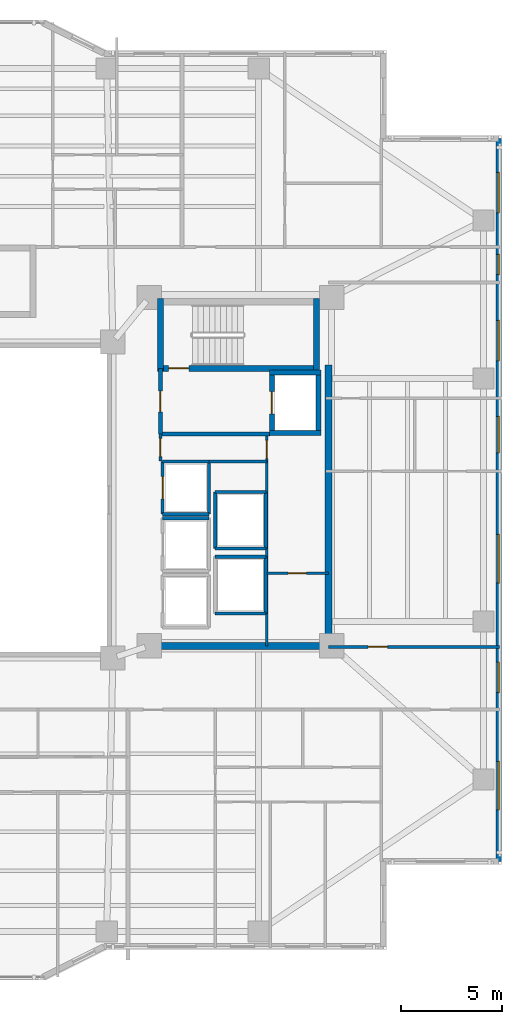
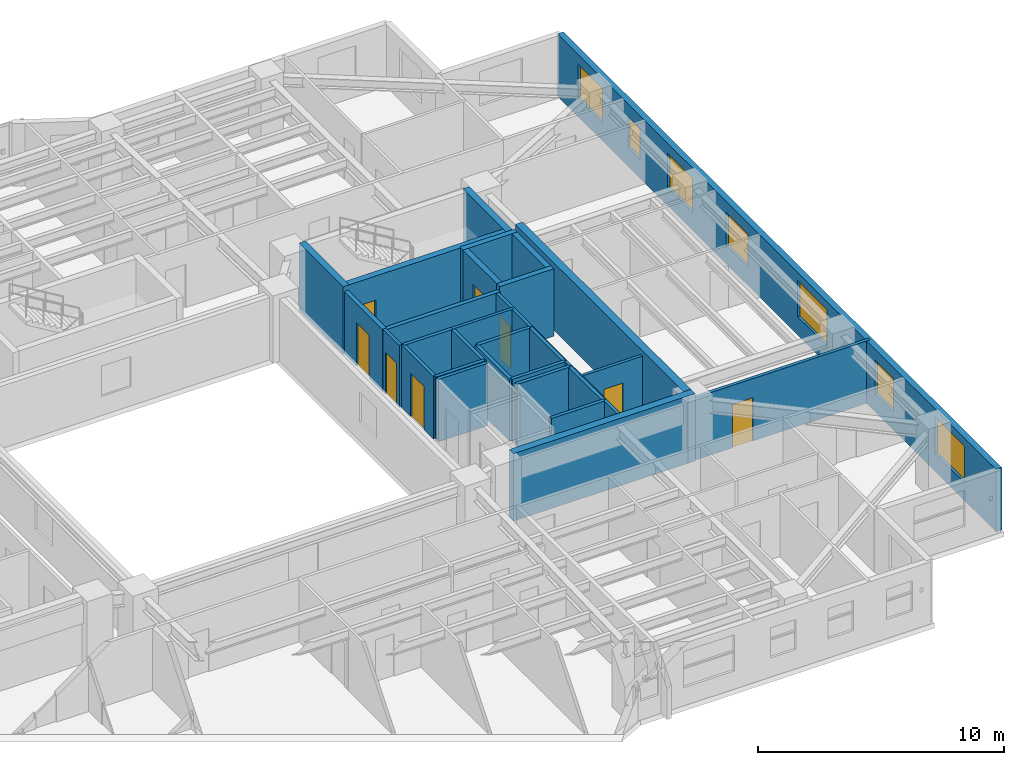
# One storey, part 9 of 19: 29 walls, 8 doors, 7 windows, 15 openings.
"""IFC4 building model written with IfcOpenShell, lengths in metres."""

from ifc_helpers import new_model, si_unit, direction, frame, frame_2d, origin, place, context, subcontext, project, spatial, rectangle, extrude, material, layer, layer_set, type_object, element, fill, save


model = new_model("IFC4")

# Units and contexts
model_context = context("Model", 3, precision=1e-05, world=origin(), true_north=direction((0.0, 1.0)))
body_context = subcontext(model_context, "Body", "Model", "MODEL_VIEW")
ifc_project = project(units=[si_unit("LENGTHUNIT", "METRE"), si_unit("AREAUNIT", "SQUARE_METRE"), si_unit("VOLUMEUNIT", "CUBIC_METRE"), si_unit("PLANEANGLEUNIT", "RADIAN"), si_unit("MASSUNIT", "GRAM", prefix="KILO")], contexts=[model_context])

# Site, building, storey
site_placement = place(None, origin())
site = spatial("IfcSite", under=ifc_project, at=site_placement, CompositionType="ELEMENT")
building_placement = place(site_placement, origin())
building = spatial("IfcBuilding", under=site, at=building_placement, Name="Tarnavaz Court Tower", CompositionType="ELEMENT")
storey_placement = place(building_placement, frame((0.0, 0.0, 81.64990234375)))
storey = spatial("IfcBuildingStorey", under=building, at=storey_placement, Name="L21", CompositionType="ELEMENT", Elevation=81.64990234375)

# Wall, opening, door
ifc_material_1 = material(Name="Concrete C60/75", Category="concrete")
ifc_layer_1 = layer(ifc_material_1, 0.25)
ifc_layer_set_1 = layer_set([ifc_layer_1], Name="Concrete C60/75")
wall_type_1 = type_object("IfcWallType", Name="WL-CORE-250-C60", PredefinedType="SHEAR", material=ifc_layer_set_1)
wall_1_placement = place(storey_placement, frame((15.64990234375, 3.175048828125, 0.0), z_axis=(0.0, 0.0, 1.0), x_axis=(0.0, 1.0, 0.0)))
wall_1 = element("IfcWall", 1, at=wall_1_placement, inside=storey, type_object=wall_type_1, Name="L21 Lift FL-E1 Shaft Wall 033", PredefinedType="SHEAR", context=body_context, shape_type="SweptSolid", body=[
    extrude(rectangle(XDim=3.25, YDim=0.25, at=frame_2d((1.625, 0.0))), origin(), (0.0, 0.0, 1.0), 3.35009765625),
])
opening_1_placement = place(wall_1_placement, frame((1.074951171875, 0.0, 0.0)))
opening_1 = element("IfcOpeningElement", 2, at=opening_1_placement, cuts=wall_1, Name="Opening LD1", PredefinedType="OPENING", context=body_context, shape_type="SweptSolid", body=[
    extrude(rectangle(XDim=1.10009765625, YDim=2.14990234375, at=frame_2d((0.550048828125, 1.074951171875))), frame((0.0, 0.135009765625, 0.0), z_axis=(0.0, -1.0, 0.0), x_axis=(1.0, 0.0, 0.0)), (0.0, 0.0, 1.0), 0.27001953125),
])
ifc_material_2 = material(Name="Stainless Steel", Category="steel")
door_type_1 = type_object("IfcDoorType", Name="DR-LD-1100", OperationType="NOTDEFINED", PredefinedType="DOOR", material=ifc_material_2)
door_1_placement = place(opening_1_placement, origin())
door_1 = element("IfcDoor", 3, at=door_1_placement, inside=storey, type_object=door_type_1, Name="L21 Lift Landing Door LD-FL-E1", OperationType="SLIDING_TO_LEFT", OverallHeight=2.14990234375, OverallWidth=1.10009765625, PredefinedType="DOOR", context=body_context, shape_type="SweptSolid", body=[
    extrude(rectangle(XDim=1.10009765625, YDim=2.14990234375, at=frame_2d((0.550048828125, 1.074951171875))), frame((0.0, 0.02490234375, 0.0), z_axis=(0.0, -1.0, 0.0), x_axis=(1.0, 0.0, 0.0)), (0.0, 0.0, 1.0), 0.050048828125),
])
fill(opening_1, door_1)

# Walls
wall_2_placement = place(storey_placement, frame((17.949951171875, 3.175048828125, 0.0), z_axis=(0.0, 0.0, 1.0), x_axis=(0.0, 1.0, 0.0)))
element("IfcWall", 4, at=wall_2_placement, inside=storey, type_object=wall_type_1, Name="L21 Lift FL-E1 Shaft Wall 034", PredefinedType="SHEAR", context=body_context, shape_type="SweptSolid", body=[
    extrude(rectangle(XDim=3.25, YDim=0.25, at=frame_2d((1.625, 0.0))), origin(), (0.0, 0.0, 1.0), 3.35009765625),
])
for number, where, z_axis, x_axis, name in (
    (5, (15.52490234375, 3.300048828125, 0.0), (0.0, 0.0, 1.0), (1.0, 0.0, 0.0), "L21 Lift FL-E1 Shaft Wall 035"),
    (6, (15.52490234375, 6.300048828125, 0.0), (0.0, 0.0, 1.0), (1.0, 0.0, 0.0), "L21 Lift FL-E1 Shaft Wall 036"),
):
    element("IfcWall", number, at=place(storey_placement, frame(where, z_axis=z_axis, x_axis=x_axis)), inside=storey, type_object=wall_type_1, Name=name, PredefinedType="SHEAR", context=body_context, shape_type="SweptSolid", body=[
        extrude(rectangle(XDim=2.550048828125, YDim=0.25, at=frame_2d((1.27490234375, 0.0))), origin(), (0.0, 0.0, 1.0), 3.35009765625),
    ])

# Wall, opening, door
ifc_layer_2 = layer(ifc_material_1, 0.300048828125)
ifc_layer_set_2 = layer_set([ifc_layer_2], Name="Concrete C60/75")
wall_type_2 = type_object("IfcWallType", Name="WL-CORE-300-C60", PredefinedType="SHEAR", material=ifc_layer_set_2)
wall_3_placement = place(storey_placement, frame((10.0, 6.5, 0.0), z_axis=(0.0, 0.0, 1.0), x_axis=(1.0, 0.0, 0.0)))
wall_3 = element("IfcWall", 7, at=wall_3_placement, inside=storey, type_object=wall_type_2, Name="L21 East Stair Core Wall 006", PredefinedType="SHEAR", context=body_context, shape_type="SweptSolid", body=[
    extrude(rectangle(XDim=8.0, YDim=0.300048828125, at=frame_2d((4.0, 0.0))), origin(), (0.0, 0.0, 1.0), 3.35009765625),
])
opening_2_placement = place(wall_3_placement, frame((0.550048828125, 0.0, 0.0)))
opening_2 = element("IfcOpeningElement", 8, at=opening_2_placement, cuts=wall_3, Name="Opening D01", PredefinedType="OPENING", context=body_context, shape_type="SweptSolid", body=[
    extrude(rectangle(XDim=1.0, YDim=2.14990234375, at=frame_2d((0.5, 1.074951171875))), frame((0.0, 0.159912109375, 0.0), z_axis=(0.0, -1.0, 0.0), x_axis=(1.0, 0.0, 0.0)), (0.0, 0.0, 1.0), 0.320068359375),
])
ifc_material_3 = material(Name="Fire-Rated Hardwood Timber Core", Category="wood")
door_type_2 = type_object("IfcDoorType", Name="DR-FD90-1000", OperationType="NOTDEFINED", PredefinedType="DOOR", material=ifc_material_3)
door_2_placement = place(opening_2_placement, origin())
door_2 = element("IfcDoor", 9, at=door_2_placement, inside=storey, type_object=door_type_2, Name="L21 Stair ST-E1 Exit Door", OperationType="SINGLE_SWING_RIGHT", OverallHeight=2.14990234375, OverallWidth=1.0, PredefinedType="DOOR", context=body_context, shape_type="SweptSolid", body=[
    extrude(rectangle(XDim=1.0, YDim=2.14990234375, at=frame_2d((0.5, 1.074951171875))), frame((0.0, 0.02490234375, 0.0), z_axis=(0.0, -1.0, 0.0), x_axis=(1.0, 0.0, 0.0)), (0.0, 0.0, 1.0), 0.050048828125),
])
fill(opening_2, door_2)

# Walls
for number, where, z_axis, x_axis, name in (
    (10, (10.14990234375, 6.35009765625, 0.0), (0.0, 0.0, 1.0), (0.0, 1.0, 0.0), "L21 East Stair Core Wall 007"),
    (11, (17.85009765625, 6.35009765625, 0.0), (0.0, 0.0, 1.0), (0.0, 1.0, 0.0), "L21 East Stair Core Wall 008"),
):
    element("IfcWall", number, at=place(storey_placement, frame(where, z_axis=z_axis, x_axis=x_axis)), inside=storey, type_object=wall_type_2, Name=name, PredefinedType="SHEAR", context=body_context, shape_type="SweptSolid", body=[
        extrude(rectangle(XDim=3.58984375, YDim=0.300048828125, at=frame_2d((1.794921875, 0.0))), origin(), (0.0, 0.0, 1.0), 3.35009765625),
    ])
ifc_layer_3 = layer(ifc_material_1, 0.35009765625)
ifc_layer_set_3 = layer_set([ifc_layer_3], Name="Concrete C60/75")
wall_type_3 = type_object("IfcWallType", Name="WL-CORE-350-C60", PredefinedType="SHEAR", material=ifc_layer_set_3)
wall_4_placement = place(storey_placement, frame((18.449951171875, -7.375, 0.0), z_axis=(0.0, 0.0, 1.0), x_axis=(0.0, 1.0, 0.0)))
element("IfcWall", 12, at=wall_4_placement, inside=storey, type_object=wall_type_3, Name="L21 East Core Shear Wall 059", PredefinedType="SHEAR", context=body_context, shape_type="SweptSolid", body=[
    extrude(rectangle(XDim=14.050048828125, YDim=0.35009765625, at=frame_2d((7.02490234375, 0.0))), origin(), (0.0, 0.0, 1.0), 3.35009765625),
])
wall_5_placement = place(storey_placement, frame((10.074951171875, -7.199951171875, 0.0), z_axis=(0.0, 0.0, 1.0), x_axis=(1.0, 0.0, 0.0)))
element("IfcWall", 13, at=wall_5_placement, inside=storey, type_object=wall_type_3, Name="L21 East Core South Shear Wall 060", PredefinedType="SHEAR", context=body_context, shape_type="SweptSolid", body=[
    extrude(rectangle(XDim=8.550048828125, YDim=0.35009765625, at=frame_2d((4.27490234375, 0.0))), origin(), (0.0, 0.0, 1.0), 3.35009765625),
])

# Wall, openings, windows
ifc_material_4 = material(Name="Precast Concrete C40/50", Category="concrete")
ifc_layer_4 = layer(ifc_material_4, 0.280029296875)
ifc_layer_set_4 = layer_set([ifc_layer_4], Name="Precast Concrete C40/50")
wall_type_4 = type_object("IfcWallType", Name="WL-EXT-280", PredefinedType="SOLIDWALL", material=ifc_layer_set_4)
wall_6_placement = place(storey_placement, frame((26.85009765625, 17.85009765625, 0.0), z_axis=(0.0, 0.0, 1.0), x_axis=(0.0, -1.0, 0.0)))
wall_6 = element("IfcWall", 14, at=wall_6_placement, inside=storey, type_object=wall_type_4, Name="L21 Exterior Terracotta Facade Wall 12", PredefinedType="SOLIDWALL", context=body_context, shape_type="SweptSolid", body=[
    extrude(rectangle(XDim=35.7001953125, YDim=0.280029296875, at=frame_2d((17.85009765625, 0.0))), origin(), (0.0, 0.0, 1.0), 3.10009765625),
])
opening_3_placement = place(wall_6_placement, frame((1.675048828125, 0.0, 0.89990234375)))
opening_3 = element("IfcOpeningElement", 15, at=opening_3_placement, cuts=wall_6, Name="Opening W08", PredefinedType="OPENING", context=body_context, shape_type="SweptSolid", body=[
    extrude(rectangle(XDim=2.0, YDim=1.699951171875, at=frame_2d((1.0, 0.85009765625))), frame((0.0, 0.14990234375, 0.0), z_axis=(0.0, -1.0, 0.0), x_axis=(1.0, 0.0, 0.0)), (0.0, 0.0, 1.0), 0.300048828125),
])
opening_4_placement = place(wall_6_placement, frame((5.72509765625, 0.0, 0.949951171875)))
opening_4 = element("IfcOpeningElement", 16, at=opening_4_placement, cuts=wall_6, Name="Opening W14", PredefinedType="OPENING", context=body_context, shape_type="SweptSolid", body=[
    extrude(rectangle(XDim=1.0, YDim=1.5, at=frame_2d((0.5, 0.75))), frame((0.0, 0.14990234375, 0.0), z_axis=(0.0, -1.0, 0.0), x_axis=(1.0, 0.0, 0.0)), (0.0, 0.0, 1.0), 0.300048828125),
])
opening_5_placement = place(wall_6_placement, frame((8.97509765625, 0.0, 0.89990234375)))
opening_5 = element("IfcOpeningElement", 17, at=opening_5_placement, cuts=wall_6, Name="Opening W08", PredefinedType="OPENING", context=body_context, shape_type="SweptSolid", body=[
    extrude(rectangle(XDim=2.0, YDim=1.699951171875, at=frame_2d((1.0, 0.85009765625))), frame((0.0, 0.14990234375, 0.0), z_axis=(0.0, -1.0, 0.0), x_axis=(1.0, 0.0, 0.0)), (0.0, 0.0, 1.0), 0.300048828125),
])
opening_6_placement = place(wall_6_placement, frame((13.72509765625, 0.0, 0.89990234375)))
opening_6 = element("IfcOpeningElement", 18, at=opening_6_placement, cuts=wall_6, Name="Opening W01", PredefinedType="OPENING", context=body_context, shape_type="SweptSolid", body=[
    extrude(rectangle(XDim=1.800048828125, YDim=1.64990234375, at=frame_2d((0.89990234375, 0.824951171875))), frame((0.0, 0.14990234375, 0.0), z_axis=(0.0, -1.0, 0.0), x_axis=(1.0, 0.0, 0.0)), (0.0, 0.0, 1.0), 0.300048828125),
])
opening_7_placement = place(wall_6_placement, frame((19.550048828125, 0.0, 0.89990234375)))
opening_7 = element("IfcOpeningElement", 19, at=opening_7_placement, cuts=wall_6, Name="Opening W06", PredefinedType="OPENING", context=body_context, shape_type="SweptSolid", body=[
    extrude(rectangle(XDim=2.39990234375, YDim=1.800048828125, at=frame_2d((1.199951171875, 0.89990234375))), frame((0.0, 0.14990234375, 0.0), z_axis=(0.0, -1.0, 0.0), x_axis=(1.0, 0.0, 0.0)), (0.0, 0.0, 1.0), 0.300048828125),
])
opening_8_placement = place(wall_6_placement, frame((25.857421875, 0.0, 0.89990234375)))
opening_8 = element("IfcOpeningElement", 20, at=opening_8_placement, cuts=wall_6, Name="Opening W03", PredefinedType="OPENING", context=body_context, shape_type="SweptSolid", body=[
    extrude(rectangle(XDim=1.5, YDim=1.64990234375, at=frame_2d((0.75, 0.824951171875))), frame((0.0, 0.14990234375, 0.0), z_axis=(0.0, -1.0, 0.0), x_axis=(1.0, 0.0, 0.0)), (0.0, 0.0, 1.0), 0.300048828125),
])
opening_9_placement = place(wall_6_placement, frame((30.75, 0.0, 0.89990234375)))
opening_9 = element("IfcOpeningElement", 21, at=opening_9_placement, cuts=wall_6, Name="Opening W06", PredefinedType="OPENING", context=body_context, shape_type="SweptSolid", body=[
    extrude(rectangle(XDim=2.39990234375, YDim=1.800048828125, at=frame_2d((1.199951171875, 0.89990234375))), frame((0.0, 0.14990234375, 0.0), z_axis=(0.0, -1.0, 0.0), x_axis=(1.0, 0.0, 0.0)), (0.0, 0.0, 1.0), 0.300048828125),
])
ifc_material_5 = material(Name="Double-Glazed Solar Low-E Glass", Category="glass")
window_type_1 = type_object("IfcWindowType", Name="WN-APT-1000", PartitioningType="SINGLE_PANEL", PredefinedType="WINDOW", material=ifc_material_5)
window_1_placement = place(opening_4_placement, origin())
window_1 = element("IfcWindow", 22, at=window_1_placement, inside=storey, type_object=window_type_1, Name="L21 North-East Corner Corridor Window", OverallHeight=1.5, OverallWidth=1.0, PartitioningType="SINGLE_PANEL", PredefinedType="WINDOW", context=body_context, shape_type="SweptSolid", body=[
    extrude(rectangle(XDim=1.0, YDim=1.5, at=frame_2d((0.5, 0.75))), frame((0.0, 0.030029296875, 0.0), z_axis=(0.0, -1.0, 0.0), x_axis=(1.0, 0.0, 0.0)), (0.0, 0.0, 1.0), 0.06005859375),
])
fill(opening_4, window_1)
window_type_2 = type_object("IfcWindowType", Name="WN-APT-1500", PartitioningType="DOUBLE_PANEL_VERTICAL", PredefinedType="WINDOW", material=ifc_material_5)
window_2_placement = place(opening_8_placement, origin())
window_2 = element("IfcWindow", 23, at=window_2_placement, inside=storey, type_object=window_type_2, Name="L21 South-East Corner Corridor Window", OverallHeight=1.64990234375, OverallWidth=1.5, PartitioningType="SINGLE_PANEL", PredefinedType="WINDOW", context=body_context, shape_type="SweptSolid", body=[
    extrude(rectangle(XDim=1.5, YDim=1.64990234375, at=frame_2d((0.75, 0.824951171875))), frame((0.0, 0.030029296875, 0.0), z_axis=(0.0, -1.0, 0.0), x_axis=(1.0, 0.0, 0.0)), (0.0, 0.0, 1.0), 0.06005859375),
])
fill(opening_8, window_2)
window_type_3 = type_object("IfcWindowType", Name="WN-APT-1800", PartitioningType="DOUBLE_PANEL_VERTICAL", PredefinedType="WINDOW", material=ifc_material_5)
window_3_placement = place(opening_6_placement, origin())
window_3 = element("IfcWindow", 24, at=window_3_placement, inside=storey, type_object=window_type_3, Name="L21 Flat 10 Bathroom Window", OverallHeight=1.64990234375, OverallWidth=1.800048828125, PartitioningType="SINGLE_PANEL", PredefinedType="WINDOW", context=body_context, shape_type="SweptSolid", body=[
    extrude(rectangle(XDim=1.800048828125, YDim=1.64990234375, at=frame_2d((0.89990234375, 0.824951171875))), frame((0.0, 0.030029296875, 0.0), z_axis=(0.0, -1.0, 0.0), x_axis=(1.0, 0.0, 0.0)), (0.0, 0.0, 1.0), 0.06005859375),
])
fill(opening_6, window_3)
window_type_4 = type_object("IfcWindowType", Name="WN-APT-2000", PartitioningType="DOUBLE_PANEL_VERTICAL", PredefinedType="WINDOW", material=ifc_material_5)
window_4_placement = place(opening_3_placement, origin())
window_4 = element("IfcWindow", 25, at=window_4_placement, inside=storey, type_object=window_type_4, Name="L21 North-East Corner Sunroom Study Window", OverallHeight=1.699951171875, OverallWidth=2.0, PartitioningType="SINGLE_PANEL", PredefinedType="WINDOW", context=body_context, shape_type="SweptSolid", body=[
    extrude(rectangle(XDim=2.0, YDim=1.699951171875, at=frame_2d((1.0, 0.85009765625))), frame((0.0, 0.030029296875, 0.0), z_axis=(0.0, -1.0, 0.0), x_axis=(1.0, 0.0, 0.0)), (0.0, 0.0, 1.0), 0.06005859375),
])
fill(opening_3, window_4)
window_5_placement = place(opening_5_placement, origin())
window_5 = element("IfcWindow", 26, at=window_5_placement, inside=storey, type_object=window_type_4, Name="L21 Flat 10 Study Room Window", OverallHeight=1.699951171875, OverallWidth=2.0, PartitioningType="SINGLE_PANEL", PredefinedType="WINDOW", context=body_context, shape_type="SweptSolid", body=[
    extrude(rectangle(XDim=2.0, YDim=1.699951171875, at=frame_2d((1.0, 0.85009765625))), frame((0.0, 0.030029296875, 0.0), z_axis=(0.0, -1.0, 0.0), x_axis=(1.0, 0.0, 0.0)), (0.0, 0.0, 1.0), 0.06005859375),
])
fill(opening_5, window_5)
window_type_5 = type_object("IfcWindowType", Name="WN-APT-2400", PartitioningType="TRIPLE_PANEL_VERTICAL", PredefinedType="WINDOW", material=ifc_material_5)
window_6_placement = place(opening_7_placement, origin())
window_6 = element("IfcWindow", 27, at=window_6_placement, inside=storey, type_object=window_type_5, Name="L21 Flat 10 Studio Living and Sleeping Room Window", OverallHeight=1.800048828125, OverallWidth=2.39990234375, PartitioningType="SINGLE_PANEL", PredefinedType="WINDOW", context=body_context, shape_type="SweptSolid", body=[
    extrude(rectangle(XDim=2.39990234375, YDim=1.800048828125, at=frame_2d((1.199951171875, 0.89990234375))), frame((0.0, 0.030029296875, 0.0), z_axis=(0.0, -1.0, 0.0), x_axis=(1.0, 0.0, 0.0)), (0.0, 0.0, 1.0), 0.06005859375),
])
fill(opening_7, window_6)
window_7_placement = place(opening_9_placement, origin())
window_7 = element("IfcWindow", 28, at=window_7_placement, inside=storey, type_object=window_type_5, Name="L21 South-East Corner Reading Room Window", OverallHeight=1.800048828125, OverallWidth=2.39990234375, PartitioningType="SINGLE_PANEL", PredefinedType="WINDOW", context=body_context, shape_type="SweptSolid", body=[
    extrude(rectangle(XDim=2.39990234375, YDim=1.800048828125, at=frame_2d((1.199951171875, 0.89990234375))), frame((0.0, 0.030029296875, 0.0), z_axis=(0.0, -1.0, 0.0), x_axis=(1.0, 0.0, 0.0)), (0.0, 0.0, 1.0), 0.06005859375),
])
fill(opening_9, window_7)

# Wall, opening, door
ifc_material_6 = material(Name="Gypsum Fire-Board on Acoustic Metal Stud", Category="masonry")
ifc_layer_5 = layer(ifc_material_6, 0.14990234375)
ifc_layer_set_5 = layer_set([ifc_layer_5], Name="Gypsum Fire-Board on Acoustic Metal Stud")
wall_type_5 = type_object("IfcWallType", Name="WL-FIRE-150", PredefinedType="PARTITIONING", material=ifc_layer_set_5)
wall_7_placement = place(storey_placement, frame((18.449951171875, -7.25, 0.0), z_axis=(0.0, 0.0, 1.0), x_axis=(1.0, 0.0, 0.0)))
wall_7 = element("IfcWall", 29, at=wall_7_placement, inside=storey, type_object=wall_type_5, Name="L21 Interior Partition 124", PredefinedType="PARTITIONING", context=body_context, shape_type="SweptSolid", body=[
    extrude(rectangle(XDim=8.429931640625, YDim=0.14990234375, at=frame_2d((4.21484375, 0.0))), origin(), (0.0, 0.0, 1.0), 3.10009765625),
])
opening_10_placement = place(wall_7_placement, frame((1.949951171875, 0.0, 0.0)))
opening_10 = element("IfcOpeningElement", 30, at=opening_10_placement, cuts=wall_7, Name="Opening D06", PredefinedType="OPENING", context=body_context, shape_type="SweptSolid", body=[
    extrude(rectangle(XDim=0.9599609375, YDim=2.14990234375, at=frame_2d((0.47998046875, 1.074951171875))), frame((0.0, 0.0849609375, 0.0), z_axis=(0.0, -1.0, 0.0), x_axis=(1.0, 0.0, 0.0)), (0.0, 0.0, 1.0), 0.169921875),
])
door_type_3 = type_object("IfcDoorType", Name="DR-FD60-950", OperationType="NOTDEFINED", PredefinedType="DOOR", material=ifc_material_3)
door_3_placement = place(opening_10_placement, origin())
door_3 = element("IfcDoor", 31, at=door_3_placement, inside=storey, type_object=door_type_3, Name="L21 Flat 10 Entrance Door", OperationType="SINGLE_SWING_LEFT", OverallHeight=2.14990234375, OverallWidth=0.9599609375, PredefinedType="DOOR", context=body_context, shape_type="SweptSolid", body=[
    extrude(rectangle(XDim=0.9599609375, YDim=2.14990234375, at=frame_2d((0.47998046875, 1.074951171875))), frame((0.0, 0.02490234375, 0.0), z_axis=(0.0, -1.0, 0.0), x_axis=(1.0, 0.0, 0.0)), (0.0, 0.0, 1.0), 0.050048828125),
])
fill(opening_10, door_3)

# Wall
ifc_material_7 = material(Name="Autoclaved Aerated Concrete Blockwork", Category="masonry")
ifc_layer_6 = layer(ifc_material_7, 0.199951171875)
ifc_layer_set_6 = layer_set([ifc_layer_6], Name="Autoclaved Aerated Concrete Blockwork")
wall_type_6 = type_object("IfcWallType", Name="WL-FIRE-200", PredefinedType="SOLIDWALL", material=ifc_layer_set_6)
wall_8_placement = place(storey_placement, frame((10.14990234375, 3.25, 0.0), z_axis=(0.0, 0.0, 1.0), x_axis=(1.0, 0.0, 0.0)))
element("IfcWall", 32, at=wall_8_placement, inside=storey, type_object=wall_type_6, Name="L21 East Firefighting Lobby Wall 015", PredefinedType="SOLIDWALL", context=body_context, shape_type="SweptSolid", body=[
    extrude(rectangle(XDim=5.400146484375, YDim=0.199951171875, at=frame_2d((2.7001953125, 0.0))), origin(), (0.0, 0.0, 1.0), 3.10009765625),
])

# Wall, opening, door
wall_9_placement = place(storey_placement, frame((10.14990234375, 3.25, 0.0), z_axis=(0.0, 0.0, 1.0), x_axis=(0.0, 1.0, 0.0)))
wall_9 = element("IfcWall", 33, at=wall_9_placement, inside=storey, type_object=wall_type_6, Name="L21 East Firefighting Lobby Wall 016", PredefinedType="SOLIDWALL", context=body_context, shape_type="SweptSolid", body=[
    extrude(rectangle(XDim=3.25, YDim=0.199951171875, at=frame_2d((1.625, 0.0))), origin(), (0.0, 0.0, 1.0), 3.10009765625),
])
opening_11_placement = place(wall_9_placement, frame((1.10009765625, 0.0, 0.0)))
opening_11 = element("IfcOpeningElement", 34, at=opening_11_placement, cuts=wall_9, Name="Opening D05", PredefinedType="OPENING", context=body_context, shape_type="SweptSolid", body=[
    extrude(rectangle(XDim=1.02001953125, YDim=2.14990234375, at=frame_2d((0.510009765625, 1.074951171875))), frame((0.0, 0.10986328125, 0.0), z_axis=(0.0, -1.0, 0.0), x_axis=(1.0, 0.0, 0.0)), (0.0, 0.0, 1.0), 0.219970703125),
])
door_type_4 = type_object("IfcDoorType", Name="DR-FD60-1000", OperationType="NOTDEFINED", PredefinedType="DOOR", material=ifc_material_3)
door_4_placement = place(opening_11_placement, origin())
door_4 = element("IfcDoor", 35, at=door_4_placement, inside=storey, type_object=door_type_4, Name="L21 East Firefighting Lobby Door", OperationType="SINGLE_SWING_LEFT", OverallHeight=2.14990234375, OverallWidth=1.02001953125, PredefinedType="DOOR", context=body_context, shape_type="SweptSolid", body=[
    extrude(rectangle(XDim=1.02001953125, YDim=2.14990234375, at=frame_2d((0.510009765625, 1.074951171875))), frame((0.0, 0.02490234375, 0.0), z_axis=(0.0, -1.0, 0.0), x_axis=(1.0, 0.0, 0.0)), (0.0, 0.0, 1.0), 0.050048828125),
])
fill(opening_11, door_4)

# Wall
ifc_material_8 = material(Name="Gypsum Plasterboard Acoustic Partition", Category="masonry")
ifc_layer_7 = layer(ifc_material_8, 0.139892578125)
ifc_layer_set_7 = layer_set([ifc_layer_7], Name="Gypsum Plasterboard Acoustic Partition")
wall_type_7 = type_object("IfcWallType", Name="WL-PART-150", PredefinedType="PARTITIONING", material=ifc_layer_set_7)
wall_10_placement = place(storey_placement, frame((12.550048828125, 1.89990234375, 0.0), z_axis=(0.0, 0.0, 1.0), x_axis=(1.0, 0.0, 0.0)))
element("IfcWall", 36, at=wall_10_placement, inside=storey, type_object=wall_type_7, Name="L21 Interior Partition 067", PredefinedType="PARTITIONING", context=body_context, shape_type="SweptSolid", body=[
    extrude(rectangle(XDim=2.849853515625, YDim=0.139892578125, at=frame_2d((1.4248046875, 0.0))), origin(), (0.0, 0.0, 1.0), 3.10009765625),
])

# Wall, opening, door
wall_11_placement = place(storey_placement, frame((10.14990234375, 1.919921875, 0.0), z_axis=(0.0, 0.0, 1.0), x_axis=(0.0, 1.0, 0.0)))
wall_11 = element("IfcWall", 37, at=wall_11_placement, inside=storey, type_object=wall_type_7, Name="L21 Interior Partition 068", PredefinedType="PARTITIONING", context=body_context, shape_type="SweptSolid", body=[
    extrude(rectangle(XDim=1.330078125, YDim=0.139892578125, at=frame_2d((0.6650390625, 0.0))), origin(), (0.0, 0.0, 1.0), 3.10009765625),
])
opening_12_placement = place(wall_11_placement, frame((0.219970703125, 0.0, 0.0)))
opening_12 = element("IfcOpeningElement", 38, at=opening_12_placement, cuts=wall_11, Name="Opening D09", PredefinedType="OPENING", context=body_context, shape_type="SweptSolid", body=[
    extrude(rectangle(XDim=0.89990234375, YDim=2.080078125, at=frame_2d((0.449951171875, 1.0400390625))), frame((0.0, 0.079833984375, 0.0), z_axis=(0.0, -1.0, 0.0), x_axis=(1.0, 0.0, 0.0)), (0.0, 0.0, 1.0), 0.159912109375),
])
door_type_5 = type_object("IfcDoorType", Name="DR-FD30-900", OperationType="NOTDEFINED", PredefinedType="DOOR", material=ifc_material_3)
door_5_placement = place(opening_12_placement, origin())
door_5 = element("IfcDoor", 39, at=door_5_placement, inside=storey, type_object=door_type_5, Name="L21 East Core Service Lobby Door", OperationType="SINGLE_SWING_RIGHT", OverallHeight=2.080078125, OverallWidth=0.89990234375, PredefinedType="DOOR", context=body_context, shape_type="SweptSolid", body=[
    extrude(rectangle(XDim=0.89990234375, YDim=2.080078125, at=frame_2d((0.449951171875, 1.0400390625))), frame((0.0, 0.02490234375, 0.0), z_axis=(0.0, -1.0, 0.0), x_axis=(1.0, 0.0, 0.0)), (0.0, 0.0, 1.0), 0.050048828125),
])
fill(opening_12, door_5)

wall_12_placement = place(storey_placement, frame((15.39990234375, -7.199951171875, 0.0), z_axis=(0.0, 0.0, 1.0), x_axis=(0.0, 1.0, 0.0)))
wall_12 = element("IfcWall", 40, at=wall_12_placement, inside=storey, type_object=wall_type_7, Name="L21 Interior Partition 069", PredefinedType="PARTITIONING", context=body_context, shape_type="SweptSolid", body=[
    extrude(rectangle(XDim=10.449951171875, YDim=0.139892578125, at=frame_2d((5.22509765625, 0.0))), origin(), (0.0, 0.0, 1.0), 3.10009765625),
])
opening_13_placement = place(wall_12_placement, frame((9.25, 0.0, 0.0)))
opening_13 = element("IfcOpeningElement", 41, at=opening_13_placement, cuts=wall_12, Name="Opening D09", PredefinedType="OPENING", context=body_context, shape_type="SweptSolid", body=[
    extrude(rectangle(XDim=0.89990234375, YDim=2.080078125, at=frame_2d((0.449951171875, 1.0400390625))), frame((0.0, 0.079833984375, 0.0), z_axis=(0.0, -1.0, 0.0), x_axis=(1.0, 0.0, 0.0)), (0.0, 0.0, 1.0), 0.159912109375),
])
door_6_placement = place(opening_13_placement, origin())
door_6 = element("IfcDoor", 42, at=door_6_placement, inside=storey, type_object=door_type_5, Name="L21 East Wet Riser Door", OperationType="SINGLE_SWING_LEFT", OverallHeight=2.080078125, OverallWidth=0.89990234375, PredefinedType="DOOR", context=body_context, shape_type="SweptSolid", body=[
    extrude(rectangle(XDim=0.89990234375, YDim=2.080078125, at=frame_2d((0.449951171875, 1.0400390625))), frame((0.0, 0.02490234375, 0.0), z_axis=(0.0, -1.0, 0.0), x_axis=(1.0, 0.0, 0.0)), (0.0, 0.0, 1.0), 0.050048828125),
])
fill(opening_13, door_6)

wall_13_placement = place(storey_placement, frame((15.39990234375, -3.6201171875, 0.0), z_axis=(0.0, 0.0, 1.0), x_axis=(1.0, 0.0, 0.0)))
wall_13 = element("IfcWall", 43, at=wall_13_placement, inside=storey, type_object=wall_type_7, Name="L21 Interior Partition 070", PredefinedType="PARTITIONING", context=body_context, shape_type="SweptSolid", body=[
    extrude(rectangle(XDim=3.050048828125, YDim=0.139892578125, at=frame_2d((1.52490234375, 0.0))), origin(), (0.0, 0.0, 1.0), 3.10009765625),
])
opening_14_placement = place(wall_13_placement, frame((1.050048828125, 0.0, 0.0)))
opening_14 = element("IfcOpeningElement", 44, at=opening_14_placement, cuts=wall_13, Name="Opening D09", PredefinedType="OPENING", context=body_context, shape_type="SweptSolid", body=[
    extrude(rectangle(XDim=0.89990234375, YDim=2.080078125, at=frame_2d((0.449951171875, 1.0400390625))), frame((0.0, 0.079833984375, 0.0), z_axis=(0.0, -1.0, 0.0), x_axis=(1.0, 0.0, 0.0)), (0.0, 0.0, 1.0), 0.159912109375),
])
door_7_placement = place(opening_14_placement, origin())
door_7 = element("IfcDoor", 45, at=door_7_placement, inside=storey, type_object=door_type_5, Name="L21 East Electrical Plant Door", OperationType="SINGLE_SWING_RIGHT", OverallHeight=2.080078125, OverallWidth=0.89990234375, PredefinedType="DOOR", context=body_context, shape_type="SweptSolid", body=[
    extrude(rectangle(XDim=0.89990234375, YDim=2.080078125, at=frame_2d((0.449951171875, 1.0400390625))), frame((0.0, 0.02490234375, 0.0), z_axis=(0.0, -1.0, 0.0), x_axis=(1.0, 0.0, 0.0)), (0.0, 0.0, 1.0), 0.050048828125),
])
fill(opening_14, door_7)

# Wall
ifc_layer_8 = layer(ifc_material_7, 0.159912109375)
ifc_layer_set_8 = layer_set([ifc_layer_8], Name="Autoclaved Aerated Concrete Blockwork")
wall_type_8 = type_object("IfcWallType", Name="WL-SHAFT-150", PredefinedType="SOLIDWALL", material=ifc_layer_set_8)
wall_14_placement = place(storey_placement, frame((10.25, -0.89990234375, 0.0), z_axis=(0.0, 0.0, 1.0), x_axis=(1.0, 0.0, 0.0)))
element("IfcWall", 46, at=wall_14_placement, inside=storey, type_object=wall_type_8, Name="L21 Lift PL-M2 Shaft Wall 044", PredefinedType="SOLIDWALL", context=body_context, shape_type="SweptSolid", body=[
    extrude(rectangle(XDim=2.300048828125, YDim=0.159912109375, at=frame_2d((1.14990234375, 0.0))), origin(), (0.0, 0.0, 1.0), 3.10009765625),
])

# Wall, opening, door
wall_15_placement = place(storey_placement, frame((10.25, -0.699951171875, 0.0), z_axis=(0.0, 0.0, 1.0), x_axis=(0.0, 1.0, 0.0)))
wall_15 = element("IfcWall", 47, at=wall_15_placement, inside=storey, type_object=wall_type_8, Name="L21 Lift PL-M3 Shaft Wall 045", PredefinedType="SOLIDWALL", context=body_context, shape_type="SweptSolid", body=[
    extrude(rectangle(XDim=2.599853515625, YDim=0.159912109375, at=frame_2d((1.2998046875, 0.0))), origin(), (0.0, 0.0, 1.0), 3.10009765625),
])
opening_15_placement = place(wall_15_placement, frame((0.75, 0.0, 0.0)))
opening_15 = element("IfcOpeningElement", 48, at=opening_15_placement, cuts=wall_15, Name="Opening LD1", PredefinedType="OPENING", context=body_context, shape_type="SweptSolid", body=[
    extrude(rectangle(XDim=1.10009765625, YDim=2.14990234375, at=frame_2d((0.550048828125, 1.074951171875))), frame((0.0, 0.08984375, 0.0), z_axis=(0.0, -1.0, 0.0), x_axis=(1.0, 0.0, 0.0)), (0.0, 0.0, 1.0), 0.179931640625),
])
door_8_placement = place(opening_15_placement, origin())
door_8 = element("IfcDoor", 49, at=door_8_placement, inside=storey, type_object=door_type_1, Name="L21 Lift Landing Door LD-PL-M3", OperationType="SLIDING_TO_LEFT", OverallHeight=2.14990234375, OverallWidth=1.10009765625, PredefinedType="DOOR", context=body_context, shape_type="SweptSolid", body=[
    extrude(rectangle(XDim=1.10009765625, YDim=2.14990234375, at=frame_2d((0.550048828125, 1.074951171875))), frame((0.0, 0.02490234375, 0.0), z_axis=(0.0, -1.0, 0.0), x_axis=(1.0, 0.0, 0.0)), (0.0, 0.0, 1.0), 0.050048828125),
])
fill(opening_15, door_8)

# Walls
wall_16_placement = place(storey_placement, frame((12.550048828125, -0.699951171875, 0.0), z_axis=(0.0, 0.0, 1.0), x_axis=(0.0, 1.0, 0.0)))
element("IfcWall", 50, at=wall_16_placement, inside=storey, type_object=wall_type_8, Name="L21 Lift PL-M3 Shaft Wall 046", PredefinedType="SOLIDWALL", context=body_context, shape_type="SweptSolid", body=[
    extrude(rectangle(XDim=2.599853515625, YDim=0.159912109375, at=frame_2d((1.2998046875, 0.0))), origin(), (0.0, 0.0, 1.0), 3.10009765625),
])
for number, where, z_axis, x_axis, name in (
    (51, (10.25, -0.699951171875, 0.0), (0.0, 0.0, 1.0), (1.0, 0.0, 0.0), "L21 Lift PL-M3 Shaft Wall 047"),
    (52, (10.25, 1.89990234375, 0.0), (0.0, 0.0, 1.0), (1.0, 0.0, 0.0), "L21 Lift PL-M3 Shaft Wall 048"),
):
    element("IfcWall", number, at=place(storey_placement, frame(where, z_axis=z_axis, x_axis=x_axis)), inside=storey, type_object=wall_type_8, Name=name, PredefinedType="SOLIDWALL", context=body_context, shape_type="SweptSolid", body=[
        extrude(rectangle(XDim=2.300048828125, YDim=0.159912109375, at=frame_2d((1.14990234375, 0.0))), origin(), (0.0, 0.0, 1.0), 3.10009765625),
    ])
wall_17_placement = place(storey_placement, frame((15.35009765625, -5.60009765625, 0.0), z_axis=(0.0, 0.0, 1.0), x_axis=(0.0, 1.0, 0.0)))
element("IfcWall", 53, at=wall_17_placement, inside=storey, type_object=wall_type_8, Name="L21 Lift PL-OB1 Shaft Wall 050", PredefinedType="SOLIDWALL", context=body_context, shape_type="SweptSolid", body=[
    extrude(rectangle(XDim=2.800048828125, YDim=0.159912109375, at=frame_2d((1.39990234375, 0.0))), origin(), (0.0, 0.0, 1.0), 3.10009765625),
])
for number, where, z_axis, x_axis, name in (
    (54, (12.85009765625, -5.60009765625, 0.0), (0.0, 0.0, 1.0), (1.0, 0.0, 0.0), "L21 Lift PL-OB1 Shaft Wall 051"),
    (55, (12.85009765625, -2.800048828125, 0.0), (0.0, 0.0, 1.0), (1.0, 0.0, 0.0), "L21 Lift PL-OB1 Shaft Wall 052"),
):
    element("IfcWall", number, at=place(storey_placement, frame(where, z_axis=z_axis, x_axis=x_axis)), inside=storey, type_object=wall_type_8, Name=name, PredefinedType="SOLIDWALL", context=body_context, shape_type="SweptSolid", body=[
        extrude(rectangle(XDim=2.5, YDim=0.159912109375, at=frame_2d((1.25, 0.0))), origin(), (0.0, 0.0, 1.0), 3.10009765625),
    ])
for number, where, z_axis, x_axis, name in (
    (56, (12.85009765625, -2.39990234375, 0.0), (0.0, 0.0, 1.0), (0.0, 1.0, 0.0), "L21 Lift PL-OB2 Shaft Wall 053"),
    (57, (15.35009765625, -2.39990234375, 0.0), (0.0, 0.0, 1.0), (0.0, 1.0, 0.0), "L21 Lift PL-OB2 Shaft Wall 054"),
):
    element("IfcWall", number, at=place(storey_placement, frame(where, z_axis=z_axis, x_axis=x_axis)), inside=storey, type_object=wall_type_8, Name=name, PredefinedType="SOLIDWALL", context=body_context, shape_type="SweptSolid", body=[
        extrude(rectangle(XDim=2.7998046875, YDim=0.159912109375, at=frame_2d((1.39990234375, 0.0))), origin(), (0.0, 0.0, 1.0), 3.10009765625),
    ])
for number, where, z_axis, x_axis, name in (
    (58, (12.85009765625, -2.39990234375, 0.0), (0.0, 0.0, 1.0), (1.0, 0.0, 0.0), "L21 Lift PL-OB2 Shaft Wall 055"),
    (59, (12.85009765625, 0.39990234375, 0.0), (0.0, 0.0, 1.0), (1.0, 0.0, 0.0), "L21 Lift PL-OB2 Shaft Wall 056"),
):
    element("IfcWall", number, at=place(storey_placement, frame(where, z_axis=z_axis, x_axis=x_axis)), inside=storey, type_object=wall_type_8, Name=name, PredefinedType="SOLIDWALL", context=body_context, shape_type="SweptSolid", body=[
        extrude(rectangle(XDim=2.5, YDim=0.159912109375, at=frame_2d((1.25, 0.0))), origin(), (0.0, 0.0, 1.0), 3.10009765625),
    ])

save(model, "model.ifc")
